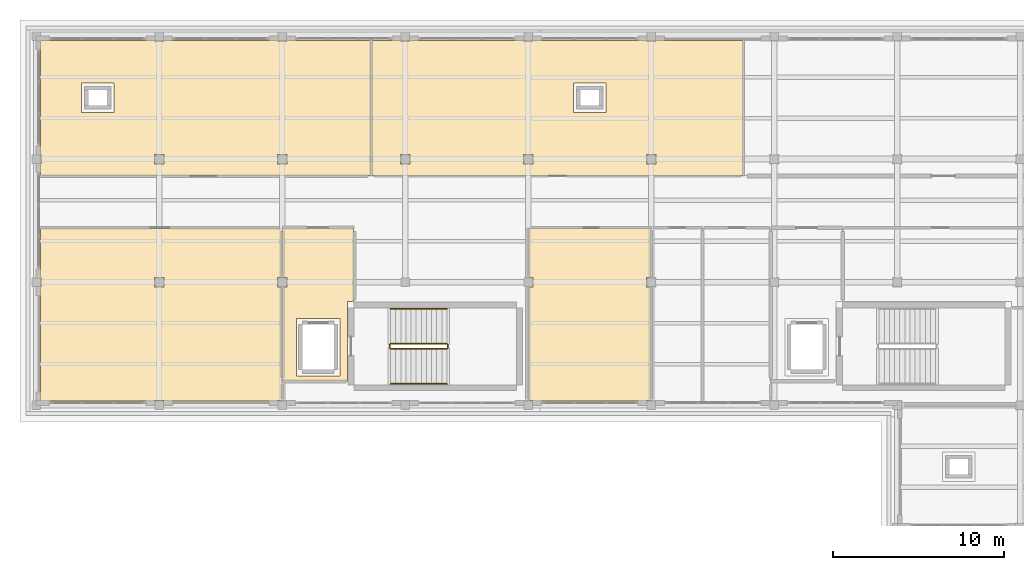
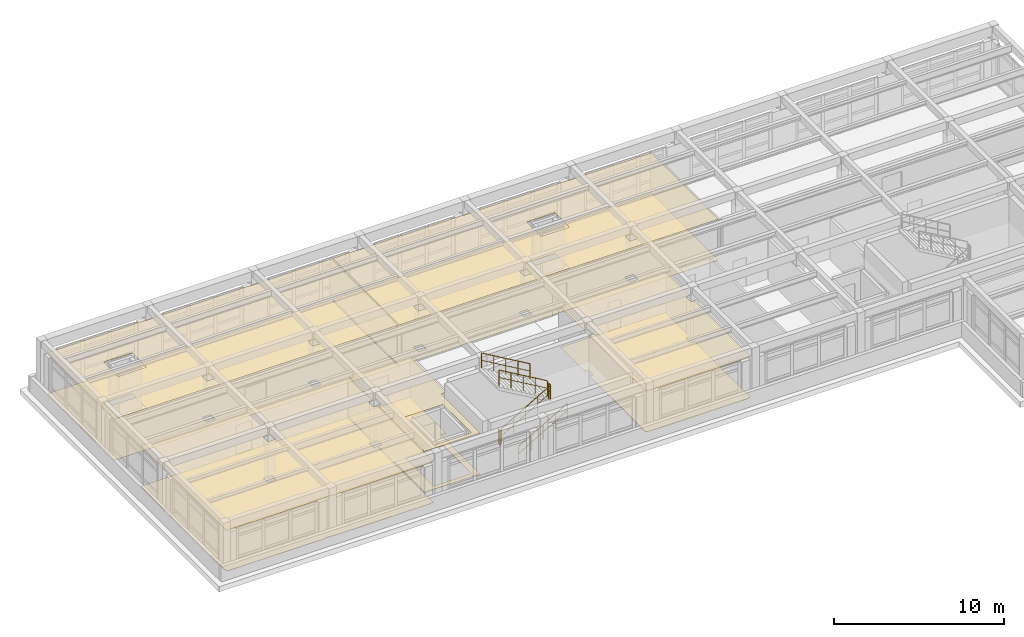
# One storey, part 18 of 20: 10 coverings, 6 railings.
"""IFC4 building model written with IfcOpenShell, lengths in metres."""

import ifcopenshell
import ifcopenshell.guid

model = None  # the IFC model being written
_history = None  # IfcOwnerHistory: only IFC2X3 demands one
_inside = {}  # id of a spatial element -> (the spatial element, [elements in it])
_under = {}  # id of a project, library or spatial element -> (it, [spatial elements below it])
_declared = {}  # id of a project -> (the project, [libraries it declares])
_typed = {}  # id of a type object -> (the type object, [elements of that type])
_made_of = {}  # id of a material, layer set ... -> (it, [elements and type objects made of it])


def new_model(schema):
    """Start an empty IFC model of exactly this schema.

    Asked for "IFC4X3", IfcOpenShell would pick the latest addendum, in which some entities
    have other attributes; the version numbers below select the first issue.
    IFC2X3 requires an IfcOwnerHistory on every rooted entity: one is made here for all.
    """
    global model, _history
    if schema == "IFC4X3":
        model = ifcopenshell.file(schema_version=(4, 3, 0, 0))
    else:
        model = ifcopenshell.file(schema=schema)
    _inside.clear()
    _under.clear()
    _declared.clear()
    _typed.clear()
    _made_of.clear()
    _history = None
    if model.schema == "IFC2X3":
        org = make("IfcOrganization", Name="unknown")
        user = make(
            "IfcPersonAndOrganization",
            ThePerson=make("IfcPerson", FamilyName="unknown"),
            TheOrganization=org,
        )
        app = make(
            "IfcApplication",
            ApplicationDeveloper=org,
            Version="unknown",
            ApplicationFullName="unknown",
            ApplicationIdentifier="unknown",
        )
        _history = make(
            "IfcOwnerHistory",
            OwningUser=user,
            OwningApplication=app,
            ChangeAction="ADDED",
            CreationDate=0,
        )
    return model


def make(cls, **values):
    """One entity of the class cls with the attributes given. An attribute that is None is left unset."""
    return model.create_entity(
        cls, **{name: value for name, value in values.items() if value is not None}
    )


def rooted(cls, **values):
    """An entity with a GlobalId (a new one), such as an element, a storey or a relation."""
    return make(cls, GlobalId=ifcopenshell.guid.new(), OwnerHistory=_history, **values)


def si_unit(unit_type, name, prefix=None):
    """IfcSIUnit, for example si_unit("LENGTHUNIT", "METRE", prefix="MILLI")."""
    return make("IfcSIUnit", UnitType=unit_type, Prefix=prefix, Name=name)


def assignment(units):
    """IfcUnitAssignment: the units of a project."""
    return None if units is None else make("IfcUnitAssignment", Units=units)


def point(xyz):
    """IfcCartesianPoint."""
    return None if xyz is None else make("IfcCartesianPoint", Coordinates=xyz)


def direction(xyz):
    """IfcDirection."""
    return None if xyz is None else make("IfcDirection", DirectionRatios=xyz)


def frame(location, z_axis=None, x_axis=None):
    """IfcAxis2Placement3D, a coordinate frame: its origin and axes. An axis left out is left unset."""
    return make(
        "IfcAxis2Placement3D",
        Location=point(location),
        Axis=direction(z_axis),
        RefDirection=direction(x_axis),
    )


def frame_2d(location, x_axis=None):
    """IfcAxis2Placement2D, a coordinate frame in the plane: its origin and x axis."""
    return make(
        "IfcAxis2Placement2D", Location=point(location), RefDirection=direction(x_axis)
    )


def origin():
    """The frame at (0, 0, 0) with its axes left unset."""
    return frame((0.0, 0.0, 0.0))


def origin_2d():
    """The frame at (0, 0) in the plane with its x axis left unset."""
    return frame_2d((0.0, 0.0))


def place(relative_to, where):
    """IfcLocalPlacement: puts the frame where relative to a parent placement (None: the world)."""
    return make(
        "IfcLocalPlacement", PlacementRelTo=relative_to, RelativePlacement=where
    )


def context(
    kind, dimensions, precision=None, world=None, true_north=None, identifier=None
):
    """IfcGeometricRepresentationContext, for example the 3D "Model" context."""
    return make(
        "IfcGeometricRepresentationContext",
        ContextIdentifier=identifier,
        ContextType=kind,
        CoordinateSpaceDimension=dimensions,
        Precision=precision,
        WorldCoordinateSystem=world,
        TrueNorth=true_north,
    )


def subcontext(parent, identifier, kind, view, scale=None):
    """IfcGeometricRepresentationSubContext, for example "Body" below "Model"."""
    return make(
        "IfcGeometricRepresentationSubContext",
        ContextIdentifier=identifier,
        ContextType=kind,
        ParentContext=parent,
        TargetScale=scale,
        TargetView=view,
    )


def project(units=None, contexts=None):
    """IfcProject with its units and contexts."""
    return rooted(
        "IfcProject",
        Name="project",
        RepresentationContexts=contexts,
        UnitsInContext=assignment(units),
    )


def spatial(cls, under=None, at=None, **own):
    """A site, building, storey or space (cls), placed at a placement, below another one or the project."""
    s = rooted(cls, ObjectPlacement=at, **own)
    if under is not None:
        _under.setdefault(under.id(), (under, []))[1].append(s)
    return s


def polyline(points):
    """IfcPolyline through the points."""
    return make("IfcPolyline", Points=[point(p) for p in points])


def profile(cls, at=None, kind="AREA", **sizes):
    """A parametric profile (cls). Its sizes go by their IFC names, for example OverallWidth=200.0."""
    return make(cls, ProfileType=kind, Position=at, **sizes)


def circle(**sizes):
    """IfcCircleProfileDef."""
    return profile("IfcCircleProfileDef", **sizes)


def outline(outer, holes=None, kind="AREA"):
    """IfcArbitraryClosedProfileDef: a profile drawn as a closed curve; with holes, ...WithVoids."""
    if holes is None:
        return make("IfcArbitraryClosedProfileDef", ProfileType=kind, OuterCurve=outer)
    return make(
        "IfcArbitraryProfileDefWithVoids",
        ProfileType=kind,
        OuterCurve=outer,
        InnerCurves=holes,
    )


def extrude(swept, where, along, depth):
    """IfcExtrudedAreaSolid: the profile swept, set in the frame where, extruded along a direction by depth."""
    return make(
        "IfcExtrudedAreaSolid",
        SweptArea=swept,
        Position=where,
        ExtrudedDirection=direction(along),
        Depth=depth,
    )


def shape(context_of_items, identifier, shape_type, items):
    """IfcShapeRepresentation: the items that make up one representation, for example the "Body"."""
    return make(
        "IfcShapeRepresentation",
        ContextOfItems=context_of_items,
        RepresentationIdentifier=identifier,
        RepresentationType=shape_type,
        Items=items,
    )


def material(Name=None, Category=None):
    """IfcMaterial."""
    return make("IfcMaterial", Name=Name, Category=Category)


def layer(
    of_material, thickness, ventilated=None, Name=None, Category=None, Priority=None
):
    """IfcMaterialLayer: one layer of a wall or slab, of a material (None: an air gap)."""
    return make(
        "IfcMaterialLayer",
        Material=of_material,
        LayerThickness=thickness,
        IsVentilated=ventilated,
        Name=Name,
        Category=Category,
        Priority=Priority,
    )


def layer_set(layers, Name=None):
    """IfcMaterialLayerSet."""
    return make("IfcMaterialLayerSet", MaterialLayers=layers, LayerSetName=Name)


def made_of(thing, what):
    """Note that an element or type object is made of a material, layer set ...; save() writes the relation."""
    if what is not None:
        _made_of.setdefault(what.id(), (what, []))[1].append(thing)
    return thing


def type_object(cls, material=None, **own):
    """A type object (cls), such as IfcWallType, which elements share."""
    return made_of(rooted(cls, **own), material)


def element(
    cls,
    number,
    at=None,
    inside=None,
    cuts=None,
    type_object=None,
    material=None,
    context=None,
    identifier="Body",
    shape_type=None,
    held_by="IfcProductDefinitionShape",
    body=None,
    shapes=None,
    **own,
):
    """One element of the class cls, such as IfcWall. Its Tag is "e" and its number.

    at: its placement. inside: the storey or other place that contains it. cuts: it is an
    opening in that element (IfcRelVoidsElement). A single representation is given by context,
    identifier, shape_type and body (its items); several are given by shapes. held_by: the class
    of the entity that holds the representations. save() writes the other relations.
    """
    e = rooted(cls, Tag="e%d" % number, ObjectPlacement=at, **own)
    if body is not None:
        shapes = [shape(context, identifier, shape_type, body)]
    if shapes is not None:
        e.Representation = make(held_by, Representations=shapes)
    if inside is not None:
        _inside.setdefault(inside.id(), (inside, []))[1].append(e)
    if cuts is not None:
        rooted(
            "IfcRelVoidsElement", RelatingBuildingElement=cuts, RelatedOpeningElement=e
        )
    if type_object is not None:
        _typed.setdefault(type_object.id(), (type_object, []))[1].append(e)
    return made_of(e, material)


def aggregate(whole, parts):
    """IfcRelAggregates: a whole, such as a stair, and the parts it consists of."""
    return rooted("IfcRelAggregates", RelatingObject=whole, RelatedObjects=parts)


def save(model, path):
    """Write the relations noted so far, then the file.

    IfcRelAggregates (storeys below a building ...), IfcRelContainedInSpatialStructure (elements
    in a storey), IfcRelDefinesByType, IfcRelAssociatesMaterial and IfcRelDeclares: one each for
    every whole, place, type object, material and project.
    """
    for whole, parts in _under.values():
        aggregate(whole, parts)
    for where, things in _inside.values():
        rooted(
            "IfcRelContainedInSpatialStructure",
            RelatedElements=things,
            RelatingStructure=where,
        )
    for kind, things in _typed.values():
        rooted("IfcRelDefinesByType", RelatedObjects=things, RelatingType=kind)
    for what, things in _made_of.values():
        rooted("IfcRelAssociatesMaterial", RelatedObjects=things, RelatingMaterial=what)
    for by, libraries in _declared.values():
        rooted("IfcRelDeclares", RelatingContext=by, RelatedDefinitions=libraries)
    model.write(path)


model = new_model("IFC4")

# Units and contexts
model_context = context("Model", 3, precision=1e-05, world=origin(), true_north=direction((0.0, 1.0)))
body_context = subcontext(model_context, "Body", "Model", "MODEL_VIEW")
ifc_project = project(units=[si_unit("LENGTHUNIT", "METRE"), si_unit("AREAUNIT", "SQUARE_METRE"), si_unit("VOLUMEUNIT", "CUBIC_METRE"), si_unit("PLANEANGLEUNIT", "RADIAN"), si_unit("MASSUNIT", "GRAM", prefix="KILO")], contexts=[model_context])

# Site, building, storey
site_placement = place(None, origin())
site = spatial("IfcSite", under=ifc_project, at=site_placement, CompositionType="ELEMENT")
building_placement = place(site_placement, origin())
building = spatial("IfcBuilding", under=site, at=building_placement, Name="Solenvale Faculty of Natural Sciences", CompositionType="ELEMENT")
storey_placement = place(building_placement, frame((0.0, 0.0, 35.39990234375)))
storey = spatial("IfcBuildingStorey", under=building, at=storey_placement, Name="L08", CompositionType="ELEMENT", Elevation=35.39990234375)

# Coverings
ifc_material_1 = material(Name="Acoustic mineral-timber ceiling", Category="wood")
ifc_layer_1 = layer(ifc_material_1, 0.02490234375)
ifc_layer_set_1 = layer_set([ifc_layer_1], Name="Acoustic mineral-timber ceiling")
covering_type_1 = type_object("IfcCoveringType", Name="COV-CEIL-AC25", PredefinedType="CEILING", material=ifc_layer_set_1)
covering_1_placement = place(storey_placement, frame((0.0, 0.0, 2.93505859375)))
element("IfcCovering", 1, at=covering_1_placement, inside=storey, type_object=covering_type_1, Name="L08 Firefighting Lobby C4 Acoustic Ceiling", PredefinedType="CEILING", context=body_context, shape_type="SweptSolid", body=[
    extrude(outline(polyline([(104.97998046875, 99.7099609375), (104.9560546875, 99.680908203125), (104.64794921875, 99.679931640625), (104.6201171875, 99.652099609375), (104.613037109375, 95.031005859375), (104.590087890625, 95.02001953125), (100.8310546875, 95.027099609375), (100.820068359375, 95.050048828125), (100.820068359375, 100.4951171875), (100.846923828125, 100.52490234375), (101.073974609375, 100.531005859375), (101.074951171875, 101.06396484375), (101.06396484375, 101.074951171875), (100.846923828125, 101.074951171875), (100.820068359375, 101.10205078125), (100.820068359375, 103.949951171875), (100.8291015625, 103.970947265625), (100.85009765625, 103.97998046875), (104.949951171875, 103.97998046875), (104.970947265625, 103.970947265625), (104.97998046875, 103.949951171875), (104.97998046875, 99.7099609375)]), holes=[polyline([(101.64794921875, 98.679931640625), (101.6279296875, 98.669921875), (101.6201171875, 98.64990234375), (101.6259765625, 95.33203125), (101.64990234375, 95.320068359375), (104.16796875, 95.325927734375), (104.179931640625, 95.35009765625), (104.174072265625, 98.66796875), (104.14990234375, 98.679931640625), (101.64794921875, 98.679931640625)])]), origin(), (0.0, 0.0, 1.0), 0.025146484375),
])
covering_2_placement = place(storey_placement, frame((0.0, 0.0, 2.93505859375)))
element("IfcCovering", 2, at=covering_2_placement, inside=storey, type_object=covering_type_1, Name="L08 Biophysics and Neurobiology Research Laboratory Acoustic Ceiling", PredefinedType="CEILING", context=body_context, shape_type="SweptSolid", body=[
    extrude(outline(polyline([(86.639892578125, 114.89501953125), (86.64794921875, 114.916015625), (86.705078125, 114.9599609375), (93.294921875, 114.9599609375), (93.3359375, 114.925048828125), (93.865966796875, 114.925048828125), (93.905029296875, 114.9599609375), (100.4951171875, 114.9599609375), (100.535888671875, 114.925048828125), (101.06591796875, 114.925048828125), (101.10498046875, 114.9599609375), (105.9609375, 114.9580078125), (105.97998046875, 114.929931640625), (105.97802734375, 107.05908203125), (105.949951171875, 107.0400390625), (86.658935546875, 107.0419921875), (86.639892578125, 107.070068359375), (86.639892578125, 107.695068359375), (86.675048828125, 107.73388671875), (86.675048828125, 108.263916015625), (86.639892578125, 108.304931640625), (86.639892578125, 114.89501953125)]), holes=[polyline([(100.52490234375, 107.736083984375), (100.535888671875, 107.72509765625), (101.072021484375, 107.72802734375), (101.072021484375, 108.27197265625), (100.528076171875, 108.27197265625), (100.52490234375, 107.736083984375)]), polyline([(93.324951171875, 107.736083984375), (93.3359375, 107.72509765625), (93.8720703125, 107.72802734375), (93.8720703125, 108.27197265625), (93.327880859375, 108.27197265625), (93.324951171875, 107.736083984375)]), polyline([(89.068115234375, 112.4599609375), (89.048095703125, 112.449951171875), (89.0400390625, 112.429931640625), (89.0400390625, 110.77001953125), (89.050048828125, 110.748046875), (90.929931640625, 110.739990234375), (90.951904296875, 110.75), (90.9599609375, 112.429931640625), (90.949951171875, 112.451904296875), (89.068115234375, 112.4599609375)])]), origin(), (0.0, 0.0, 1.0), 0.025146484375),
])
covering_3_placement = place(storey_placement, frame((0.0, 0.0, 2.93505859375)))
element("IfcCovering", 3, at=covering_3_placement, inside=storey, type_object=covering_type_1, Name="L08 Faculty Staff Office Acoustic Ceiling", PredefinedType="CEILING", context=body_context, shape_type="SweptSolid", body=[
    extrude(outline(polyline([(107.695068359375, 114.9599609375), (107.736083984375, 114.925048828125), (108.26611328125, 114.925048828125), (108.304931640625, 114.9599609375), (114.89501953125, 114.9599609375), (114.93603515625, 114.925048828125), (115.466064453125, 114.925048828125), (115.5048828125, 114.9599609375), (122.094970703125, 114.9599609375), (122.135986328125, 114.925048828125), (122.666015625, 114.925048828125), (122.705078125, 114.9599609375), (127.760986328125, 114.9580078125), (127.780029296875, 114.929931640625), (127.778076171875, 107.05908203125), (127.75, 107.0400390625), (106.05908203125, 107.0419921875), (106.0400390625, 107.070068359375), (106.041015625, 114.93603515625), (106.070068359375, 114.9599609375), (107.695068359375, 114.9599609375)]), holes=[polyline([(122.6640625, 107.72509765625), (122.675048828125, 107.736083984375), (122.672119140625, 108.27197265625), (122.1279296875, 108.27197265625), (122.1279296875, 107.72802734375), (122.6640625, 107.72509765625)]), polyline([(117.867919921875, 112.4599609375), (117.847900390625, 112.449951171875), (117.840087890625, 112.429931640625), (117.840087890625, 110.77001953125), (117.85009765625, 110.748046875), (119.72998046875, 110.739990234375), (119.751953125, 110.75), (119.760009765625, 112.429931640625), (119.75, 112.451904296875), (117.867919921875, 112.4599609375)]), polyline([(115.464111328125, 107.72509765625), (115.47509765625, 107.736083984375), (115.471923828125, 108.27197265625), (114.927978515625, 108.27197265625), (114.927978515625, 107.72802734375), (115.464111328125, 107.72509765625)]), polyline([(108.263916015625, 107.72509765625), (108.27490234375, 107.736083984375), (108.27197265625, 108.27197265625), (107.72802734375, 108.27197265625), (107.72802734375, 107.72802734375), (108.263916015625, 107.72509765625)])]), origin(), (0.0, 0.0, 1.0), 0.025146484375),
])
covering_4_placement = place(storey_placement, frame((0.0, 0.0, 2.93505859375)))
element("IfcCovering", 4, at=covering_4_placement, inside=storey, type_object=covering_type_1, Name="L08 Public Washroom Acoustic Ceiling", PredefinedType="CEILING", context=body_context, shape_type="SweptSolid", body=[
    extrude(outline(polyline([(115.5048828125, 93.840087890625), (115.467041015625, 93.875), (115.2470703125, 93.875), (115.219970703125, 93.905029296875), (115.219970703125, 100.4951171875), (115.243896484375, 100.52392578125), (115.464111328125, 100.52490234375), (115.47509765625, 100.535888671875), (115.47412109375, 101.069091796875), (115.2470703125, 101.074951171875), (115.219970703125, 101.10205078125), (115.22509765625, 103.947021484375), (115.25, 103.9599609375), (122.366943359375, 103.955078125), (122.3798828125, 103.929931640625), (122.3798828125, 101.10205078125), (122.35302734375, 101.074951171875), (122.1259765625, 101.069091796875), (122.125, 100.535888671875), (122.135986328125, 100.52490234375), (122.35595703125, 100.52392578125), (122.3798828125, 100.4951171875), (122.375, 93.887939453125), (122.35302734375, 93.875), (122.133056640625, 93.875), (122.094970703125, 93.840087890625), (115.5048828125, 93.840087890625)])), origin(), (0.0, 0.0, 1.0), 0.025146484375),
])
ifc_material_2 = material(Name="Oak slatted acoustic timber ceiling", Category="wood")
ifc_layer_2 = layer(ifc_material_2, 0.034912109375)
ifc_layer_set_2 = layer_set([ifc_layer_2], Name="Oak slatted acoustic timber ceiling")
covering_type_2 = type_object("IfcCoveringType", Name="COV-CEIL-WD35", PredefinedType="CEILING", material=ifc_layer_set_2)
covering_5_placement = place(storey_placement, frame((0.0, 0.0, 2.925048828125)))
element("IfcCovering", 5, at=covering_5_placement, inside=storey, type_object=covering_type_2, Name="L08 Learning Commons Acoustic Ceiling", PredefinedType="CEILING", context=body_context, shape_type="SweptSolid", body=[
    extrude(outline(polyline([(86.705078125, 93.840087890625), (86.68408203125, 93.847900390625), (86.639892578125, 93.905029296875), (86.639892578125, 100.4951171875), (86.675048828125, 100.535888671875), (86.675048828125, 101.06591796875), (86.639892578125, 101.10498046875), (86.639892578125, 103.929931640625), (86.653076171875, 103.955078125), (100.72998046875, 103.9599609375), (100.7548828125, 103.947021484375), (100.760009765625, 101.10205078125), (100.73291015625, 101.074951171875), (100.52587890625, 101.069091796875), (100.52490234375, 100.535888671875), (100.533935546875, 100.52490234375), (100.736083984375, 100.52392578125), (100.760009765625, 100.4951171875), (100.760009765625, 95.0), (100.780029296875, 94.950927734375), (100.780029296875, 93.905029296875), (100.76708984375, 93.8798828125), (100.533935546875, 93.875), (100.4951171875, 93.840087890625), (93.905029296875, 93.840087890625), (93.864013671875, 93.875), (93.333984375, 93.875), (93.294921875, 93.840087890625), (86.705078125, 93.840087890625)]), holes=[polyline([(93.864013671875, 100.52490234375), (93.875, 100.535888671875), (93.8720703125, 101.072021484375), (93.327880859375, 101.072021484375), (93.327880859375, 100.528076171875), (93.864013671875, 100.52490234375)])]), origin(), (0.0, 0.0, 1.0), 0.03515625),
])
ifc_material_3 = material(Name="Polished slate terrazzo flooring", Category="masonry")
ifc_layer_3 = layer(ifc_material_3, 0.01806640625)
ifc_layer_set_3 = layer_set([ifc_layer_3], Name="Polished slate terrazzo flooring")
covering_type_3 = type_object("IfcCoveringType", Name="COV-FLR-TRZ18", PredefinedType="FLOORING", material=ifc_layer_set_3)
covering_6_placement = place(storey_placement, origin())
element("IfcCovering", 6, at=covering_6_placement, inside=storey, type_object=covering_type_3, Name="L08 Firefighting Lobby C4 Floor Finish", PredefinedType="FLOORING", context=body_context, shape_type="SweptSolid", body=[
    extrude(outline(polyline([(104.97998046875, 99.7099609375), (104.9560546875, 99.680908203125), (104.64794921875, 99.679931640625), (104.6201171875, 99.652099609375), (104.613037109375, 95.031005859375), (104.590087890625, 95.02001953125), (100.8310546875, 95.027099609375), (100.820068359375, 95.050048828125), (100.820068359375, 100.4951171875), (100.846923828125, 100.52490234375), (101.073974609375, 100.531005859375), (101.074951171875, 101.06396484375), (101.06396484375, 101.074951171875), (100.846923828125, 101.074951171875), (100.820068359375, 101.10205078125), (100.820068359375, 103.949951171875), (100.8291015625, 103.970947265625), (100.85009765625, 103.97998046875), (104.949951171875, 103.97998046875), (104.970947265625, 103.970947265625), (104.97998046875, 103.949951171875), (104.97998046875, 99.7099609375)]), holes=[polyline([(101.64794921875, 98.679931640625), (101.6279296875, 98.669921875), (101.6201171875, 98.64990234375), (101.6259765625, 95.33203125), (101.64990234375, 95.320068359375), (104.16796875, 95.325927734375), (104.179931640625, 95.35009765625), (104.174072265625, 98.66796875), (104.14990234375, 98.679931640625), (101.64794921875, 98.679931640625)])]), origin(), (0.0, 0.0, 1.0), 0.01806640625),
])
covering_7_placement = place(storey_placement, origin())
element("IfcCovering", 7, at=covering_7_placement, inside=storey, type_object=covering_type_3, Name="L08 Faculty Staff Office Floor Finish", PredefinedType="FLOORING", context=body_context, shape_type="SweptSolid", body=[
    extrude(outline(polyline([(107.695068359375, 114.9599609375), (107.736083984375, 114.925048828125), (108.26611328125, 114.925048828125), (108.304931640625, 114.9599609375), (114.89501953125, 114.9599609375), (114.93603515625, 114.925048828125), (115.466064453125, 114.925048828125), (115.5048828125, 114.9599609375), (122.094970703125, 114.9599609375), (122.135986328125, 114.925048828125), (122.666015625, 114.925048828125), (122.705078125, 114.9599609375), (127.760986328125, 114.9580078125), (127.780029296875, 114.929931640625), (127.778076171875, 107.05908203125), (127.75, 107.0400390625), (106.05908203125, 107.0419921875), (106.0400390625, 107.070068359375), (106.041015625, 114.93603515625), (106.070068359375, 114.9599609375), (107.695068359375, 114.9599609375)]), holes=[polyline([(122.6640625, 107.72509765625), (122.675048828125, 107.736083984375), (122.672119140625, 108.27197265625), (122.1279296875, 108.27197265625), (122.1279296875, 107.72802734375), (122.6640625, 107.72509765625)]), polyline([(117.867919921875, 112.4599609375), (117.847900390625, 112.449951171875), (117.840087890625, 112.429931640625), (117.840087890625, 110.77001953125), (117.85009765625, 110.748046875), (119.72998046875, 110.739990234375), (119.751953125, 110.75), (119.760009765625, 112.429931640625), (119.75, 112.451904296875), (117.867919921875, 112.4599609375)]), polyline([(115.464111328125, 107.72509765625), (115.47509765625, 107.736083984375), (115.471923828125, 108.27197265625), (114.927978515625, 108.27197265625), (114.927978515625, 107.72802734375), (115.464111328125, 107.72509765625)]), polyline([(108.263916015625, 107.72509765625), (108.27490234375, 107.736083984375), (108.27197265625, 108.27197265625), (107.72802734375, 108.27197265625), (107.72802734375, 107.72802734375), (108.263916015625, 107.72509765625)])]), origin(), (0.0, 0.0, 1.0), 0.01806640625),
])
covering_8_placement = place(storey_placement, origin())
element("IfcCovering", 8, at=covering_8_placement, inside=storey, type_object=covering_type_3, Name="L08 Learning Commons Floor Finish", PredefinedType="FLOORING", context=body_context, shape_type="SweptSolid", body=[
    extrude(outline(polyline([(86.705078125, 93.840087890625), (86.68408203125, 93.847900390625), (86.639892578125, 93.905029296875), (86.639892578125, 100.4951171875), (86.675048828125, 100.535888671875), (86.675048828125, 101.06591796875), (86.639892578125, 101.10498046875), (86.639892578125, 103.929931640625), (86.653076171875, 103.955078125), (100.72998046875, 103.9599609375), (100.7548828125, 103.947021484375), (100.760009765625, 101.10205078125), (100.73291015625, 101.074951171875), (100.52587890625, 101.069091796875), (100.52490234375, 100.535888671875), (100.533935546875, 100.52490234375), (100.736083984375, 100.52392578125), (100.760009765625, 100.4951171875), (100.760009765625, 95.0), (100.780029296875, 94.950927734375), (100.780029296875, 93.905029296875), (100.76708984375, 93.8798828125), (100.533935546875, 93.875), (100.4951171875, 93.840087890625), (93.905029296875, 93.840087890625), (93.864013671875, 93.875), (93.333984375, 93.875), (93.294921875, 93.840087890625), (86.705078125, 93.840087890625)]), holes=[polyline([(93.864013671875, 100.52490234375), (93.875, 100.535888671875), (93.8720703125, 101.072021484375), (93.327880859375, 101.072021484375), (93.327880859375, 100.528076171875), (93.864013671875, 100.52490234375)])]), origin(), (0.0, 0.0, 1.0), 0.01806640625),
])
covering_9_placement = place(storey_placement, origin())
element("IfcCovering", 9, at=covering_9_placement, inside=storey, type_object=covering_type_3, Name="L08 Public Washroom Floor Finish", PredefinedType="FLOORING", context=body_context, shape_type="SweptSolid", body=[
    extrude(outline(polyline([(115.5048828125, 93.840087890625), (115.467041015625, 93.875), (115.2470703125, 93.875), (115.219970703125, 93.905029296875), (115.219970703125, 100.4951171875), (115.243896484375, 100.52392578125), (115.464111328125, 100.52490234375), (115.47509765625, 100.535888671875), (115.47412109375, 101.069091796875), (115.2470703125, 101.074951171875), (115.219970703125, 101.10205078125), (115.22509765625, 103.947021484375), (115.25, 103.9599609375), (122.366943359375, 103.955078125), (122.3798828125, 103.929931640625), (122.3798828125, 101.10205078125), (122.35302734375, 101.074951171875), (122.1259765625, 101.069091796875), (122.125, 100.535888671875), (122.135986328125, 100.52490234375), (122.35595703125, 100.52392578125), (122.3798828125, 100.4951171875), (122.375, 93.887939453125), (122.35302734375, 93.875), (122.133056640625, 93.875), (122.094970703125, 93.840087890625), (115.5048828125, 93.840087890625)])), origin(), (0.0, 0.0, 1.0), 0.01806640625),
])
ifc_material_4 = material(Name="Seamless laboratory vinyl flooring")
ifc_layer_4 = layer(ifc_material_4, 0.008056640625)
ifc_layer_set_4 = layer_set([ifc_layer_4], Name="Seamless laboratory vinyl flooring")
covering_type_4 = type_object("IfcCoveringType", Name="COV-FLR-VNL08", PredefinedType="FLOORING", material=ifc_layer_set_4)
covering_10_placement = place(storey_placement, origin())
element("IfcCovering", 10, at=covering_10_placement, inside=storey, type_object=covering_type_4, Name="L08 Biophysics and Neurobiology Research Laboratory Floor Finish", PredefinedType="FLOORING", context=body_context, shape_type="SweptSolid", body=[
    extrude(outline(polyline([(86.639892578125, 114.89501953125), (86.64794921875, 114.916015625), (86.705078125, 114.9599609375), (93.294921875, 114.9599609375), (93.3359375, 114.925048828125), (93.865966796875, 114.925048828125), (93.905029296875, 114.9599609375), (100.4951171875, 114.9599609375), (100.535888671875, 114.925048828125), (101.06591796875, 114.925048828125), (101.10498046875, 114.9599609375), (105.9609375, 114.9580078125), (105.97998046875, 114.929931640625), (105.97802734375, 107.05908203125), (105.949951171875, 107.0400390625), (86.658935546875, 107.0419921875), (86.639892578125, 107.070068359375), (86.639892578125, 107.695068359375), (86.675048828125, 107.73388671875), (86.675048828125, 108.263916015625), (86.639892578125, 108.304931640625), (86.639892578125, 114.89501953125)]), holes=[polyline([(100.52490234375, 107.736083984375), (100.535888671875, 107.72509765625), (101.072021484375, 107.72802734375), (101.072021484375, 108.27197265625), (100.528076171875, 108.27197265625), (100.52490234375, 107.736083984375)]), polyline([(93.324951171875, 107.736083984375), (93.3359375, 107.72509765625), (93.8720703125, 107.72802734375), (93.8720703125, 108.27197265625), (93.327880859375, 108.27197265625), (93.324951171875, 107.736083984375)]), polyline([(89.068115234375, 112.4599609375), (89.048095703125, 112.449951171875), (89.0400390625, 112.429931640625), (89.0400390625, 110.77001953125), (89.050048828125, 110.748046875), (90.929931640625, 110.739990234375), (90.951904296875, 110.75), (90.9599609375, 112.429931640625), (90.949951171875, 112.451904296875), (89.068115234375, 112.4599609375)])]), origin(), (0.0, 0.0, 1.0), 0.008056640625),
])

# Railings
ifc_material_5 = material(Name="Stainless steel Grade 304", Category="steel")
railing_type_1 = type_object("IfcRailingType", Name="RL-GRD-1100", PredefinedType="GUARDRAIL", material=ifc_material_5)
railing_1_placement = place(storey_placement, frame((107.139892578125, 96.89990234375, 0.175048828125)))
element("IfcRailing", 11, at=railing_1_placement, inside=storey, type_object=railing_type_1, Name="L08 ST-04 stair guard 1", PredefinedType="GUARDRAIL", context=body_context, shape_type="SweptSolid", body=[
    extrude(circle(Radius=0.02392578125, at=origin_2d()), frame((0.0, 0.0, 1.09619140625), z_axis=(0.863776583165, 0.0, 0.503874998761), x_axis=(0.0, 1.0, 0.0)), (0.0, 0.0, 1.0), 3.820556640625),
    extrude(circle(Radius=0.01611328125, at=origin_2d()), frame((0.0, 0.0, 0.56005859375), z_axis=(0.863776583165, 0.0, 0.503874998761), x_axis=(0.0, 1.0, 0.0)), (0.0, 0.0, 1.0), 3.820556640625),
    extrude(circle(Radius=0.02099609375, at=origin_2d()), origin(), (0.0, 0.0, 1.0), 1.072021484375),
    extrude(circle(Radius=0.02099609375, at=origin_2d()), frame((0.824951171875, 0.0, 0.481201171875)), (0.0, 0.0, 1.0), 1.072021484375),
    extrude(circle(Radius=0.02099609375, at=origin_2d()), frame((1.64990234375, 0.0, 0.96240234375)), (0.0, 0.0, 1.0), 1.072021484375),
    extrude(circle(Radius=0.02099609375, at=origin_2d()), frame((2.47509765625, 0.0, 1.44384765625)), (0.0, 0.0, 1.0), 1.072021484375),
    extrude(circle(Radius=0.02099609375, at=origin_2d()), frame((3.300048828125, 0.0, 1.925048828125)), (0.0, 0.0, 1.0), 1.072021484375),
])
railing_2_placement = place(storey_placement, frame((110.489990234375, 96.949951171875, 2.10009765625)))
element("IfcRailing", 12, at=railing_2_placement, inside=storey, type_object=railing_type_1, Name="L08 ST-04 stair guard 2", PredefinedType="GUARDRAIL", context=body_context, shape_type="SweptSolid", body=[
    extrude(circle(Radius=0.02392578125, at=origin_2d()), frame((0.0, 0.0, 1.09619140625), z_axis=(0.0, 1.0, 0.0), x_axis=(-1.0, 0.0, 0.0)), (0.0, 0.0, 1.0), 0.199951171875),
    extrude(circle(Radius=0.01611328125, at=origin_2d()), frame((0.0, 0.0, 0.56005859375), z_axis=(0.0, 1.0, 0.0), x_axis=(-1.0, 0.0, 0.0)), (0.0, 0.0, 1.0), 0.199951171875),
    extrude(circle(Radius=0.02099609375, at=origin_2d()), origin(), (0.0, 0.0, 1.0), 1.072021484375),
    extrude(circle(Radius=0.02099609375, at=origin_2d()), frame((0.0, 0.199951171875, 0.0)), (0.0, 0.0, 1.0), 1.072021484375),
])
railing_3_placement = place(storey_placement, frame((110.43994140625, 97.199951171875, 2.275146484375)))
element("IfcRailing", 13, at=railing_3_placement, inside=storey, type_object=railing_type_1, Name="L08 ST-04 stair guard 3", PredefinedType="GUARDRAIL", context=body_context, shape_type="SweptSolid", body=[
    extrude(circle(Radius=0.02392578125, at=origin_2d()), frame((0.0, 0.0, 1.09619140625), z_axis=(-0.863776583165, 0.0, 0.503874998761), x_axis=(0.0, -1.0, 0.0)), (0.0, 0.0, 1.0), 3.820556640625),
    extrude(circle(Radius=0.01611328125, at=origin_2d()), frame((0.0, 0.0, 0.56005859375), z_axis=(-0.863776583165, 0.0, 0.503874998761), x_axis=(0.0, -1.0, 0.0)), (0.0, 0.0, 1.0), 3.820556640625),
    extrude(circle(Radius=0.02099609375, at=origin_2d()), origin(), (0.0, 0.0, 1.0), 1.072021484375),
    extrude(circle(Radius=0.02099609375, at=origin_2d()), frame((-0.824951171875, 0.0, 0.481201171875)), (0.0, 0.0, 1.0), 1.072021484375),
    extrude(circle(Radius=0.02099609375, at=origin_2d()), frame((-1.64990234375, 0.0, 0.96240234375)), (0.0, 0.0, 1.0), 1.072021484375),
    extrude(circle(Radius=0.02099609375, at=origin_2d()), frame((-2.47509765625, 0.0, 1.44384765625)), (0.0, 0.0, 1.0), 1.072021484375),
    extrude(circle(Radius=0.02099609375, at=origin_2d()), frame((-3.300048828125, 0.0, 1.925048828125)), (0.0, 0.0, 1.0), 1.072021484375),
])
railing_4_placement = place(storey_placement, frame((107.090087890625, 96.949951171875, 0.0)))
element("IfcRailing", 14, at=railing_4_placement, inside=storey, type_object=railing_type_1, Name="L08 ST-04 stair guard 4", PredefinedType="GUARDRAIL", context=body_context, shape_type="SweptSolid", body=[
    extrude(circle(Radius=0.02392578125, at=origin_2d()), frame((0.0, 0.0, 1.09619140625), z_axis=(0.0, 1.0, 0.0), x_axis=(-1.0, 0.0, 0.0)), (0.0, 0.0, 1.0), 0.199951171875),
    extrude(circle(Radius=0.01611328125, at=origin_2d()), frame((0.0, 0.0, 0.56005859375), z_axis=(0.0, 1.0, 0.0), x_axis=(-1.0, 0.0, 0.0)), (0.0, 0.0, 1.0), 0.199951171875),
    extrude(circle(Radius=0.02099609375, at=origin_2d()), origin(), (0.0, 0.0, 1.0), 1.072021484375),
    extrude(circle(Radius=0.02099609375, at=origin_2d()), frame((0.0, 0.199951171875, 0.0)), (0.0, 0.0, 1.0), 1.072021484375),
])
railing_type_2 = type_object("IfcRailingType", Name="RL-HND-900", PredefinedType="HANDRAIL", material=ifc_material_5)
railing_5_placement = place(storey_placement, frame((107.139892578125, 94.85009765625, 0.175048828125)))
element("IfcRailing", 15, at=railing_5_placement, inside=storey, type_object=railing_type_2, Name="L08 ST-04 stair handrail 1", PredefinedType="HANDRAIL", context=body_context, shape_type="SweptSolid", body=[
    extrude(circle(Radius=0.02392578125, at=origin_2d()), frame((0.0, 0.0, 1.0751953125), z_axis=(0.863776583165, 0.0, 0.503874998761), x_axis=(0.0, 1.0, 0.0)), (0.0, 0.0, 1.0), 3.820556640625),
    extrude(circle(Radius=0.01611328125, at=origin_2d()), frame((0.0, 0.0, 0.549560546875), z_axis=(0.863776583165, 0.0, 0.503874998761), x_axis=(0.0, 1.0, 0.0)), (0.0, 0.0, 1.0), 3.820556640625),
    extrude(circle(Radius=0.02099609375, at=origin_2d()), origin(), (0.0, 0.0, 1.0), 1.051025390625),
    extrude(circle(Radius=0.02099609375, at=origin_2d()), frame((0.824951171875, 0.0, 0.481201171875)), (0.0, 0.0, 1.0), 1.051025390625),
    extrude(circle(Radius=0.02099609375, at=origin_2d()), frame((1.64990234375, 0.0, 0.96240234375)), (0.0, 0.0, 1.0), 1.051025390625),
    extrude(circle(Radius=0.02099609375, at=origin_2d()), frame((2.47509765625, 0.0, 1.44384765625)), (0.0, 0.0, 1.0), 1.051025390625),
    extrude(circle(Radius=0.02099609375, at=origin_2d()), frame((3.300048828125, 0.0, 1.925048828125)), (0.0, 0.0, 1.0), 1.051025390625),
])
railing_6_placement = place(storey_placement, frame((110.43994140625, 99.25, 2.275146484375)))
element("IfcRailing", 16, at=railing_6_placement, inside=storey, type_object=railing_type_2, Name="L08 ST-04 stair handrail 2", PredefinedType="HANDRAIL", context=body_context, shape_type="SweptSolid", body=[
    extrude(circle(Radius=0.02392578125, at=origin_2d()), frame((0.0, 0.0, 1.0751953125), z_axis=(-0.863776583165, 0.0, 0.503874998761), x_axis=(0.0, -1.0, 0.0)), (0.0, 0.0, 1.0), 3.820556640625),
    extrude(circle(Radius=0.01611328125, at=origin_2d()), frame((0.0, 0.0, 0.549560546875), z_axis=(-0.863776583165, 0.0, 0.503874998761), x_axis=(0.0, -1.0, 0.0)), (0.0, 0.0, 1.0), 3.820556640625),
    extrude(circle(Radius=0.02099609375, at=origin_2d()), origin(), (0.0, 0.0, 1.0), 1.051025390625),
    extrude(circle(Radius=0.02099609375, at=origin_2d()), frame((-0.824951171875, 0.0, 0.481201171875)), (0.0, 0.0, 1.0), 1.051025390625),
    extrude(circle(Radius=0.02099609375, at=origin_2d()), frame((-1.64990234375, 0.0, 0.96240234375)), (0.0, 0.0, 1.0), 1.051025390625),
    extrude(circle(Radius=0.02099609375, at=origin_2d()), frame((-2.47509765625, 0.0, 1.44384765625)), (0.0, 0.0, 1.0), 1.051025390625),
    extrude(circle(Radius=0.02099609375, at=origin_2d()), frame((-3.300048828125, 0.0, 1.925048828125)), (0.0, 0.0, 1.0), 1.051025390625),
])

save(model, "model.ifc")
